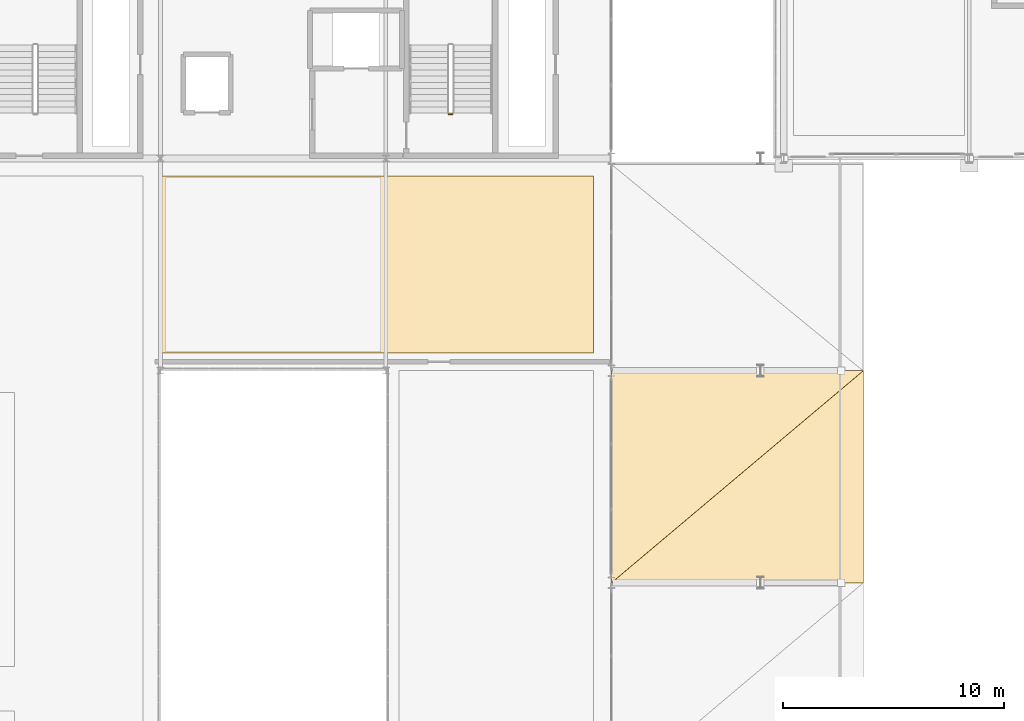
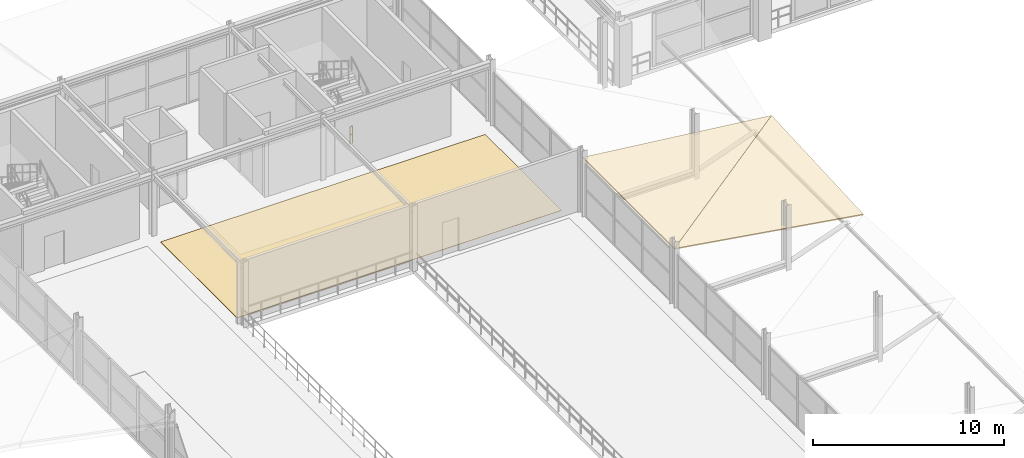
# One storey, part 72 of 81: 3 coverings, 1 railing.
"""IFC4 building model written with IfcOpenShell, lengths in metres."""

from ifc_helpers import new_model, si_unit, direction, frame, origin, origin_2d, place, context, subcontext, project, spatial, polyline, rectangle, outline, extrude, material, layer, layer_set, type_object, element, save


model = new_model("IFC4")

# Units and contexts
model_context = context("Model", 3, precision=1e-05, world=origin(), true_north=direction((0.0, 1.0)))
body_context = subcontext(model_context, "Body", "Model", "MODEL_VIEW")
ifc_project = project(units=[si_unit("LENGTHUNIT", "METRE"), si_unit("AREAUNIT", "SQUARE_METRE"), si_unit("VOLUMEUNIT", "CUBIC_METRE"), si_unit("PLANEANGLEUNIT", "RADIAN"), si_unit("MASSUNIT", "GRAM", prefix="KILO")], contexts=[model_context])

# Site, building, storey
site_placement = place(None, origin())
site = spatial("IfcSite", under=ifc_project, at=site_placement, CompositionType="ELEMENT")
building_placement = place(site_placement, origin())
building = spatial("IfcBuilding", under=site, at=building_placement, Name="Myrtia Square Station", CompositionType="ELEMENT")
storey_placement = place(building_placement, frame((0.0, 0.0, 10.800048828125)))
storey = spatial("IfcBuildingStorey", under=building, at=storey_placement, Name="L02", CompositionType="ELEMENT", Elevation=10.800048828125)

# Coverings
ifc_material_1 = material(Name="Terrazzo stone tile", Category="masonry")
ifc_layer_1 = layer(ifc_material_1, 0.02490234375, Name="Terrazzo stone tile")
ifc_layer_set_1 = layer_set([ifc_layer_1], Name="Terrazzo stone tile")
covering_type_1 = type_object("IfcCoveringType", Name="COV-FLR-TERRAZZO", PredefinedType="FLOORING", material=ifc_layer_set_1)
covering_1_placement = place(storey_placement, origin())
element("IfcCovering", 1, at=covering_1_placement, inside=storey, type_object=covering_type_1, Name="Terrazzo room flooring L02-02", PredefinedType="FLOORING", context=body_context, shape_type="SweptSolid", body=[
    extrude(outline(polyline([(89.39990234375, 85.60009765625), (109.0, 85.60009765625), (109.0, 77.60009765625), (89.39990234375, 77.60009765625), (89.39990234375, 85.60009765625)])), origin(), (0.0, 0.0, 1.0), 0.02490234375),
])
ifc_material_2 = material(Name="Terracotta clay barrel tiles", Category="masonry")
ifc_layer_2 = layer(ifc_material_2, 0.06494140625, Name="Terracotta clay barrel tiles")
ifc_layer_set_2 = layer_set([ifc_layer_2], Name="Terracotta clay barrel tiles")
covering_type_2 = type_object("IfcCoveringType", Name="COV-TILE-TERRACOTTA", PredefinedType="ROOFING", material=ifc_layer_set_2)
covering_2_placement = place(storey_placement, frame((109.81005859375, 67.19677734375, 3.614013671875), z_axis=(0.155774898913, -0.049325504804, 0.986560274613), x_axis=(0.987762622297, 0.0, -0.155964745994)))
element("IfcCovering", 2, at=covering_2_placement, inside=storey, type_object=covering_type_2, Name="Terracotta clay barrel-tile roofing 091", PredefinedType="ROOFING", context=body_context, shape_type="SweptSolid", body=[
    extrude(outline(polyline([(0.0, 0.0), (11.54138274423138, 0.0), (11.466522712340646, 9.611797554856404), (0.0, 0.0)])), origin(), (0.0, 0.0, -1.0), 0.06494140625),
])
covering_3_placement = place(storey_placement, frame((109.8076171875, 67.199951171875, 3.614501953125), z_axis=(0.115027836272, 0.0, 0.993362268703), x_axis=(0.76192236051, 0.641630853214, -0.088227913721)))
element("IfcCovering", 3, at=covering_3_placement, inside=storey, type_object=covering_type_2, Name="Terracotta clay barrel-tile roofing 092", PredefinedType="ROOFING", context=body_context, shape_type="SweptSolid", body=[
    extrude(outline(polyline([(0.0, 0.0), (14.962026230761545, -5.967448757360216e-16), (6.159718850114986, 7.3634053736756115), (0.0, 0.0)])), origin(), (0.0, 0.0, -1.0), 0.06494140625),
])

# Railing
ifc_material_3 = material(Name="Wrought iron", Category="steel")
railing_type = type_object("IfcRailingType", Name="RL-INT-GUARD-1100", PredefinedType="BALUSTRADE", material=ifc_material_3)
railing_placement = place(storey_placement, frame((102.610107421875, 88.39990234375, 0.0)))
element("IfcRailing", 4, at=railing_placement, inside=storey, type_object=railing_type, Name="L02 ST04 stair guard 4", PredefinedType="BALUSTRADE", context=body_context, shape_type="SweptSolid", body=[
    extrude(rectangle(XDim=0.048095703125, YDim=0.048095703125, at=origin_2d()), frame((-0.03466796875, 0.0, 1.09619140625), z_axis=(-1.0, 0.0, 0.0), x_axis=(0.0, -1.0, 0.0)), (0.0, 0.0, 1.0), 0.0908203125),
    extrude(rectangle(XDim=0.048095703125, YDim=0.048095703125, at=origin_2d()), frame((-0.03466796875, 0.0, 0.58251953125), z_axis=(-1.0, 0.0, 0.0), x_axis=(0.0, -1.0, 0.0)), (0.0, 0.0, 1.0), 0.0908203125),
    extrude(rectangle(XDim=0.0439453125, YDim=0.0439453125, at=origin_2d()), origin(), (0.0, 0.0, 1.0), 1.1201171875),
    extrude(rectangle(XDim=0.0439453125, YDim=0.0439453125, at=origin_2d()), frame((-0.16015625, 0.0, 0.0)), (0.0, 0.0, 1.0), 1.1201171875),
])

save(model, "model.ifc")
